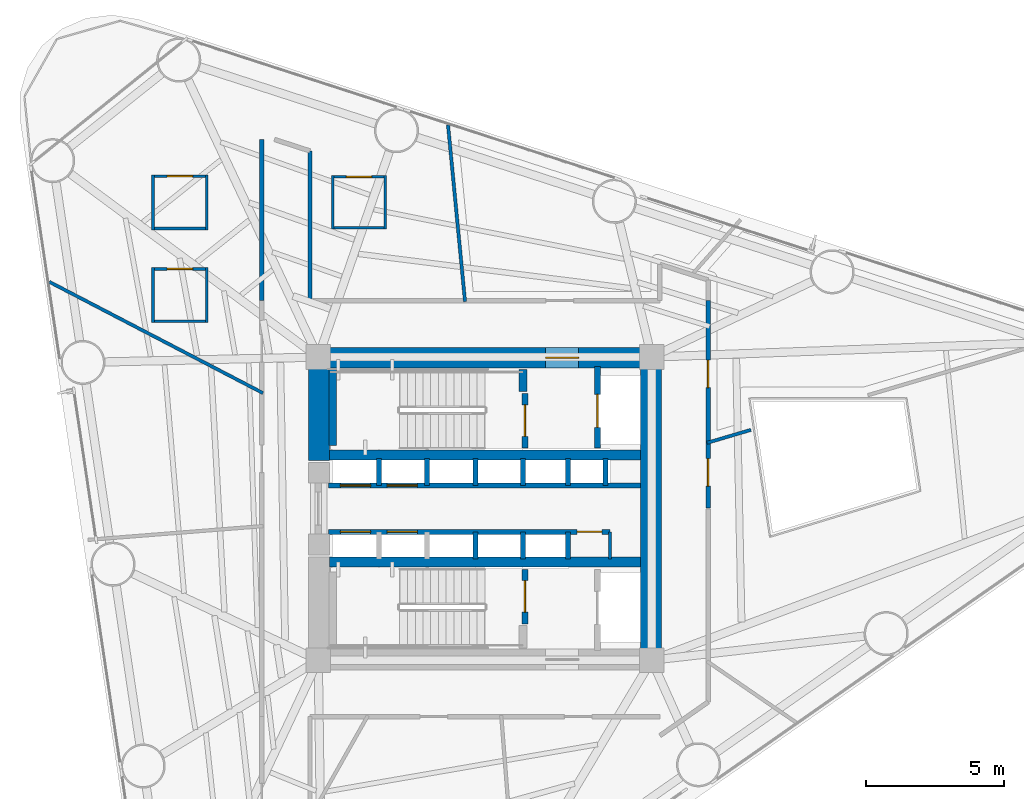
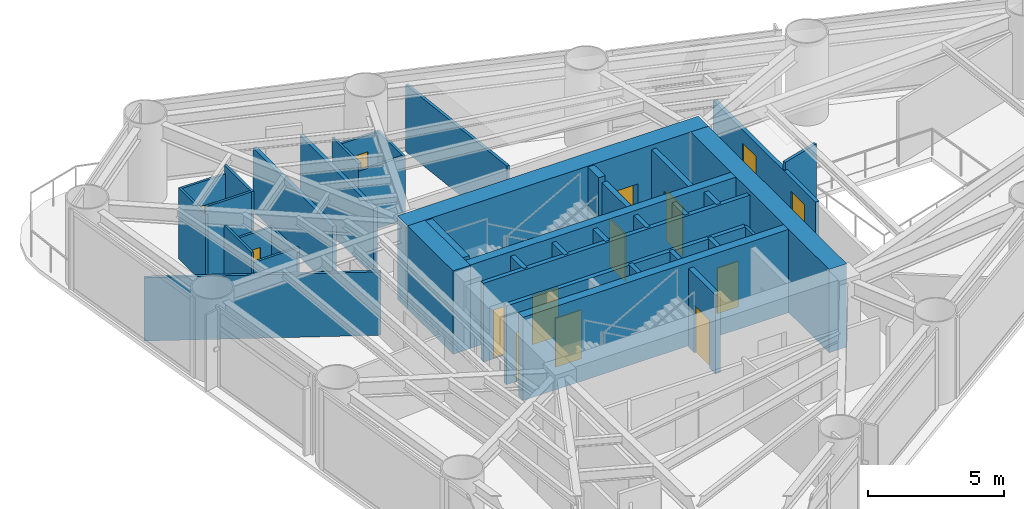
# One storey, part 6 of 9: 40 walls, 14 doors, 14 openings.
"""IFC4 building model written with IfcOpenShell, lengths in metres."""

from ifc_helpers import new_model, si_unit, direction, frame, frame_2d, origin, place, context, subcontext, project, spatial, rectangle, extrude, material, layer, layer_set, type_object, element, fill, save


model = new_model("IFC4")

# Units and contexts
model_context = context("Model", 3, precision=1e-05, world=origin(), true_north=direction((0.0, 1.0)))
body_context = subcontext(model_context, "Body", "Model", "MODEL_VIEW")
ifc_project = project(units=[si_unit("LENGTHUNIT", "METRE"), si_unit("AREAUNIT", "SQUARE_METRE"), si_unit("VOLUMEUNIT", "CUBIC_METRE"), si_unit("PLANEANGLEUNIT", "RADIAN"), si_unit("MASSUNIT", "GRAM", prefix="KILO")], contexts=[model_context])

# Site, building, storey
site_placement = place(None, origin())
site = spatial("IfcSite", under=ifc_project, at=site_placement, CompositionType="ELEMENT")
building_placement = place(site_placement, origin())
building = spatial("IfcBuilding", under=site, at=building_placement, Name="Yunling Apex Tower", CompositionType="ELEMENT")
storey_placement = place(building_placement, frame((0.0, 0.0, 66.050048828125)))
storey = spatial("IfcBuildingStorey", under=building, at=storey_placement, Name="L17", CompositionType="ELEMENT", Elevation=66.050048828125)

# Wall, opening, door
ifc_material_1 = material(Name="Concrete C60", Category="concrete")
ifc_layer_1 = layer(ifc_material_1, 0.75)
ifc_layer_set_1 = layer_set([ifc_layer_1], Name="Concrete C60")
wall_type_1 = type_object("IfcWallType", Name="WL-COR-1", PredefinedType="SHEAR", material=ifc_layer_set_1)
wall_1_placement = place(storey_placement, frame((-6.39990234375, 5.47509765625, 0.0), z_axis=(0.0, 0.0, 1.0), x_axis=(1.0, 0.0, 0.0)))
wall_1 = element("IfcWall", 1, at=wall_1_placement, inside=storey, type_object=wall_type_1, Name="L17 North Core Shear Wall", PredefinedType="SHEAR", context=body_context, shape_type="SweptSolid", body=[
    extrude(rectangle(XDim=12.7998046875, YDim=0.75, at=frame_2d((6.39990234375, 0.0))), origin(), (0.0, 0.0, 1.0), 3.75),
])
opening_1_placement = place(wall_1_placement, frame((8.60009765625, 0.0, 0.0)))
opening_1 = element("IfcOpeningElement", 2, at=opening_1_placement, cuts=wall_1, Name="Opening DR-FFL-1", PredefinedType="OPENING", context=body_context, shape_type="SweptSolid", body=[
    extrude(rectangle(XDim=1.199951171875, YDim=2.199951171875, at=frame_2d((0.60009765625, 1.10009765625))), frame((0.0, 0.385009765625, 0.0), z_axis=(0.0, -1.0, 0.0), x_axis=(1.0, 0.0, 0.0)), (0.0, 0.0, 1.0), 0.77001953125),
])
ifc_material_2 = material(Name="Steel Q355B", Category="steel")
door_type_1 = type_object("IfcDoorType", Name="DR-FFL-1", OperationType="NOTDEFINED", PredefinedType="DOOR", material=ifc_material_2)
door_1_placement = place(opening_1_placement, origin())
door_1 = element("IfcDoor", 3, at=door_1_placement, inside=storey, type_object=door_type_1, Name="L17 North Firefighting Lobby Door", OperationType="SINGLE_SWING_LEFT", OverallHeight=2.199951171875, OverallWidth=1.199951171875, PredefinedType="DOOR", context=body_context, shape_type="SweptSolid", body=[
    extrude(rectangle(XDim=1.199951171875, YDim=2.199951171875, at=frame_2d((0.60009765625, 1.10009765625))), frame((0.0, 0.02490234375, 0.0), z_axis=(0.0, -1.0, 0.0), x_axis=(1.0, 0.0, 0.0)), (0.0, 0.0, 1.0), 0.050048828125),
])
fill(opening_1, door_1)

# Walls
wall_2_placement = place(storey_placement, frame((6.02490234375, -5.10009765625, 0.0), z_axis=(0.0, 0.0, 1.0), x_axis=(0.0, 1.0, 0.0)))
element("IfcWall", 4, at=wall_2_placement, inside=storey, type_object=wall_type_1, Name="L17 East Core Shear Wall", PredefinedType="SHEAR", context=body_context, shape_type="SweptSolid", body=[
    extrude(rectangle(XDim=10.2001953125, YDim=0.75, at=frame_2d((5.10009765625, 0.0))), origin(), (0.0, 0.0, 1.0), 3.75),
])
wall_3_placement = place(storey_placement, frame((-6.02490234375, 1.75, 0.0), z_axis=(0.0, 0.0, 1.0), x_axis=(0.0, 1.0, 0.0)))
element("IfcWall", 5, at=wall_3_placement, inside=storey, type_object=wall_type_1, Name="L17 West-North Core Shear Wall", PredefinedType="SHEAR", context=body_context, shape_type="SweptSolid", body=[
    extrude(rectangle(XDim=3.35009765625, YDim=0.75, at=frame_2d((1.675048828125, 0.0))), origin(), (0.0, 0.0, 1.0), 3.75),
])
ifc_material_3 = material(Name="Concrete C40", Category="concrete")
ifc_layer_2 = layer(ifc_material_3, 0.360107421875)
ifc_layer_set_2 = layer_set([ifc_layer_2], Name="Concrete C40")
wall_type_2 = type_object("IfcWallType", Name="WL-COR-4", PredefinedType="SHEAR", material=ifc_layer_set_2)
for number, where, z_axis, x_axis, name in (
    (6, (-5.64990234375, 1.93994140625, 0.0), (0.0, 0.0, 1.0), (1.0, 0.0, 0.0), "L17 North Internal Core Shear Wall"),
    (7, (-5.64990234375, -1.93994140625, 0.0), (0.0, 0.0, 1.0), (1.0, 0.0, 0.0), "L17 South Internal Core Shear Wall"),
):
    element("IfcWall", number, at=place(storey_placement, frame(where, z_axis=z_axis, x_axis=x_axis)), inside=storey, type_object=wall_type_2, Name=name, PredefinedType="SHEAR", context=body_context, shape_type="SweptSolid", body=[
        extrude(rectangle(XDim=11.2998046875, YDim=0.360107421875, at=frame_2d((5.64990234375, 0.0))), origin(), (0.0, 0.0, 1.0), 3.75),
    ])
ifc_layer_3 = layer(ifc_material_3, 0.280029296875)
ifc_layer_set_3 = layer_set([ifc_layer_3], Name="Concrete C40")
wall_type_3 = type_object("IfcWallType", Name="WL-COR-8", PredefinedType="SHEAR", material=ifc_layer_set_3)
wall_4_placement = place(storey_placement, frame((-5.52001953125, 2.300048828125, 0.0), z_axis=(0.0, 0.0, 1.0), x_axis=(0.0, 1.0, 0.0)))
element("IfcWall", 8, at=wall_4_placement, inside=storey, type_object=wall_type_3, Name="L17 ST-1 West Landing Bearing Wall", PredefinedType="SHEAR", context=body_context, shape_type="SweptSolid", body=[
    extrude(rectangle(XDim=2.75, YDim=0.280029296875, at=frame_2d((1.375, 0.0))), origin(), (0.0, 0.0, 1.0), 3.75),
])
wall_5_placement = place(storey_placement, frame((1.3798828125, 4.25, 0.0), z_axis=(0.0, 0.0, 1.0), x_axis=(0.0, 1.0, 0.0)))
element("IfcWall", 9, at=wall_5_placement, inside=storey, type_object=wall_type_3, Name="L17 ST-1 East Landing Bearing Pier", PredefinedType="SHEAR", context=body_context, shape_type="SweptSolid", body=[
    extrude(rectangle(XDim=0.800048828125, YDim=0.280029296875, at=frame_2d((0.39990234375, 0.0))), origin(), (0.0, 0.0, 1.0), 3.75),
])
ifc_material_4 = material(Name="Gypsum board acoustic partition")
ifc_layer_4 = layer(ifc_material_4, 0.159912109375)
ifc_layer_set_4 = layer_set([ifc_layer_4], Name="Gypsum board acoustic partition")
wall_type_4 = type_object("IfcWallType", Name="WL-PRT-1", PredefinedType="PARTITIONING", material=ifc_layer_set_4)
wall_6_placement = place(storey_placement, frame((-8.10009765625, 7.550048828125, 0.0), z_axis=(0.0, 0.0, 1.0), x_axis=(0.0, 1.0, 0.0)))
element("IfcWall", 10, at=wall_6_placement, inside=storey, type_object=wall_type_4, Name="WL-CORR-L17-03", PredefinedType="PARTITIONING", context=body_context, shape_type="SweptSolid", body=[
    extrude(rectangle(XDim=5.849853515625, YDim=0.159912109375, at=frame_2d((2.9248046875, 0.0))), origin(), (0.0, 0.0, 1.0), 2.849853515625),
])
wall_7_placement = place(storey_placement, frame((-6.35009765625, 12.9814453125, 0.0), z_axis=(0.0, 0.0, 1.0), x_axis=(0.0, -1.0, 0.0)))
element("IfcWall", 11, at=wall_7_placement, inside=storey, type_object=wall_type_4, Name="WL-CORR-L17-06", PredefinedType="PARTITIONING", context=body_context, shape_type="SweptSolid", body=[
    extrude(rectangle(XDim=5.431396484375, YDim=0.159912109375, at=frame_2d((2.7158203125, 0.0))), origin(), (0.0, 0.0, 1.0), 3.050048828125),
])

# Wall, openings, doors
wall_8_placement = place(storey_placement, frame((8.10009765625, 7.550048828125, 0.0), z_axis=(0.0, 0.0, 1.0), x_axis=(0.0, -1.0, 0.0)))
wall_8 = element("IfcWall", 12, at=wall_8_placement, inside=storey, type_object=wall_type_4, Name="WL-CORR-L17-11", PredefinedType="PARTITIONING", context=body_context, shape_type="SweptSolid", body=[
    extrude(rectangle(XDim=7.530029296875, YDim=0.159912109375, at=frame_2d((3.76513671875, 0.0))), origin(), (0.0, 0.0, 1.0), 2.849853515625),
])
opening_2_placement = place(wall_8_placement, frame((2.156005859375, 0.0, 0.0)))
opening_2 = element("IfcOpeningElement", 13, at=opening_2_placement, cuts=wall_8, Name="Opening DR-OFF-1", PredefinedType="OPENING", context=body_context, shape_type="SweptSolid", body=[
    extrude(rectangle(XDim=1.0, YDim=2.25, at=frame_2d((0.5, 1.125))), frame((0.0, 0.08984375, 0.0), z_axis=(0.0, -1.0, 0.0), x_axis=(1.0, 0.0, 0.0)), (0.0, 0.0, 1.0), 0.179931640625),
])
opening_3_placement = place(wall_8_placement, frame((5.736083984375, 0.0, 0.0)))
opening_3 = element("IfcOpeningElement", 14, at=opening_3_placement, cuts=wall_8, Name="Opening DR-OFF-1", PredefinedType="OPENING", context=body_context, shape_type="SweptSolid", body=[
    extrude(rectangle(XDim=1.0, YDim=2.25, at=frame_2d((0.5, 1.125))), frame((0.0, 0.08984375, 0.0), z_axis=(0.0, -1.0, 0.0), x_axis=(1.0, 0.0, 0.0)), (0.0, 0.0, 1.0), 0.179931640625),
])
ifc_material_5 = material(Name="Bronze anodised aluminium", Category="aluminium")
door_type_2 = type_object("IfcDoorType", Name="DR-OFF-1", OperationType="NOTDEFINED", PredefinedType="DOOR", material=ifc_material_5)
door_2_placement = place(opening_2_placement, origin())
door_2 = element("IfcDoor", 15, at=door_2_placement, inside=storey, type_object=door_type_2, Name="L17 Open Plan Office Door", OperationType="SINGLE_SWING_RIGHT", OverallHeight=2.25, OverallWidth=1.0, PredefinedType="DOOR", context=body_context, shape_type="SweptSolid", body=[
    extrude(rectangle(XDim=1.0, YDim=2.25, at=frame_2d((0.5, 1.125))), frame((0.0, 0.02490234375, 0.0), z_axis=(0.0, -1.0, 0.0), x_axis=(1.0, 0.0, 0.0)), (0.0, 0.0, 1.0), 0.050048828125),
])
fill(opening_2, door_2)
door_3_placement = place(opening_3_placement, origin())
door_3 = element("IfcDoor", 16, at=door_3_placement, inside=storey, type_object=door_type_2, Name="L17 Business Reading Lounge Door", OperationType="SINGLE_SWING_LEFT", OverallHeight=2.25, OverallWidth=1.0, PredefinedType="DOOR", context=body_context, shape_type="SweptSolid", body=[
    extrude(rectangle(XDim=1.0, YDim=2.25, at=frame_2d((0.5, 1.125))), frame((0.0, 0.02490234375, 0.0), z_axis=(0.0, -1.0, 0.0), x_axis=(1.0, 0.0, 0.0)), (0.0, 0.0, 1.0), 0.050048828125),
])
fill(opening_3, door_3)

# Walls
ifc_layer_5 = layer(ifc_material_4, 0.1201171875)
ifc_layer_set_5 = layer_set([ifc_layer_5], Name="Gypsum board acoustic partition")
wall_type_5 = type_object("IfcWallType", Name="WL-PRT-3", PredefinedType="PARTITIONING", material=ifc_layer_set_5)
wall_9_placement = place(storey_placement, frame((-0.72314453125, 7.510009765625, 0.0), z_axis=(0.0, 0.0, 1.0), x_axis=(-0.095840941038, 0.995396661648, 0.0)))
element("IfcWall", 17, at=wall_9_placement, inside=storey, type_object=wall_type_5, Name="WL-RAD-L17-01", PredefinedType="PARTITIONING", context=body_context, shape_type="SweptSolid", body=[
    extrude(rectangle(XDim=6.442138671875, YDim=0.1201171875, at=frame_2d((3.22119140625, 0.0))), origin(), (0.0, 0.0, 1.0), 3.010009765625),
])
wall_10_placement = place(storey_placement, frame((-8.06005859375, 4.19580078125, 0.0), z_axis=(0.0, 0.0, 1.0), x_axis=(-0.887015422537, 0.461739797052, 0.0)))
element("IfcWall", 18, at=wall_10_placement, inside=storey, type_object=wall_type_5, Name="WL-RAD-L17-02", PredefinedType="PARTITIONING", context=body_context, shape_type="SweptSolid", body=[
    extrude(rectangle(XDim=8.737548828125, YDim=0.1201171875, at=frame_2d((4.36865234375, 0.0))), origin(), (0.0, 0.0, 1.0), 2.849853515625),
])
wall_11_placement = place(storey_placement, frame((8.06005859375, 2.387451171875, 0.0), z_axis=(0.0, 0.0, 1.0), x_axis=(0.958783289971, 0.28413835164, 0.0)))
element("IfcWall", 19, at=wall_11_placement, inside=storey, type_object=wall_type_5, Name="WL-RAD-L17-08", PredefinedType="PARTITIONING", context=body_context, shape_type="SweptSolid", body=[
    extrude(rectangle(XDim=1.661865234375, YDim=0.1201171875, at=frame_2d((0.8310546875, 0.0))), origin(), (0.0, 0.0, 1.0), 3.2099609375),
])
ifc_layer_6 = layer(ifc_material_4, 0.10009765625)
ifc_layer_set_6 = layer_set([ifc_layer_6], Name="Gypsum board acoustic partition")
wall_type_6 = type_object("IfcWallType", Name="WL-PRT-4", PredefinedType="PARTITIONING", material=ifc_layer_set_6)
wall_12_placement = place(storey_placement, frame((4.5400390625, -1.820068359375, 0.0), z_axis=(0.0, 0.0, 1.0), x_axis=(0.0, 1.0, 0.0)))
element("IfcWall", 20, at=wall_12_placement, inside=storey, type_object=wall_type_6, Name="WL-KASE-E-L17", PredefinedType="PARTITIONING", context=body_context, shape_type="SweptSolid", body=[
    extrude(rectangle(XDim=0.97998046875, YDim=0.10009765625, at=frame_2d((0.489990234375, 0.0))), origin(), (0.0, 0.0, 1.0), 3.544921875),
])

# Wall, opening, door
wall_13_placement = place(storey_placement, frame((-12.096923828125, 12.06689453125, 0.0), z_axis=(0.0, 0.0, 1.0), x_axis=(1.0, 0.0, 0.0)))
wall_13 = element("IfcWall", 21, at=wall_13_placement, inside=storey, type_object=wall_type_6, Name="WL-L17-WCMN", PredefinedType="PARTITIONING", context=body_context, shape_type="SweptSolid", body=[
    extrude(rectangle(XDim=2.0498046875, YDim=0.10009765625, at=frame_2d((1.02490234375, 0.0))), origin(), (0.0, 0.0, 1.0), 3.199951171875),
])
opening_4_placement = place(wall_13_placement, frame((0.56494140625, 0.0, 0.0)))
opening_4 = element("IfcOpeningElement", 22, at=opening_4_placement, cuts=wall_13, Name="Opening DR-WC-1", PredefinedType="OPENING", context=body_context, shape_type="SweptSolid", body=[
    extrude(rectangle(XDim=0.919921875, YDim=2.10009765625, at=frame_2d((0.4599609375, 1.050048828125))), frame((0.0, 0.06005859375, 0.0), z_axis=(0.0, -1.0, 0.0), x_axis=(1.0, 0.0, 0.0)), (0.0, 0.0, 1.0), 0.1201171875),
])
ifc_material_6 = material(Name="Timber moisture-resistant leaf", Category="wood")
door_type_3 = type_object("IfcDoorType", Name="DR-WC-1", OperationType="NOTDEFINED", PredefinedType="DOOR", material=ifc_material_6)
door_4_placement = place(opening_4_placement, origin())
door_4 = element("IfcDoor", 23, at=door_4_placement, inside=storey, type_object=door_type_3, Name="L17 Male Toilet Door", OperationType="SINGLE_SWING_LEFT", OverallHeight=2.10009765625, OverallWidth=0.919921875, PredefinedType="DOOR", context=body_context, shape_type="SweptSolid", body=[
    extrude(rectangle(XDim=0.919921875, YDim=2.10009765625, at=frame_2d((0.4599609375, 1.050048828125))), frame((0.0, 0.02490234375, 0.0), z_axis=(0.0, -1.0, 0.0), x_axis=(1.0, 0.0, 0.0)), (0.0, 0.0, 1.0), 0.050048828125),
])
fill(opening_4, door_4)

# Walls
wall_14_placement = place(storey_placement, frame((-10.047119140625, 10.1669921875, 0.0), z_axis=(0.0, 0.0, 1.0), x_axis=(-1.0, 0.0, 0.0)))
element("IfcWall", 24, at=wall_14_placement, inside=storey, type_object=wall_type_6, Name="WL-L17-WCMS", PredefinedType="PARTITIONING", context=body_context, shape_type="SweptSolid", body=[
    extrude(rectangle(XDim=2.0498046875, YDim=0.10009765625, at=frame_2d((1.02490234375, 0.0))), origin(), (0.0, 0.0, 1.0), 3.544921875),
])
wall_15_placement = place(storey_placement, frame((-10.096923828125, 12.116943359375, 0.0), z_axis=(0.0, 0.0, 1.0), x_axis=(0.0, -1.0, 0.0)))
element("IfcWall", 25, at=wall_15_placement, inside=storey, type_object=wall_type_6, Name="WL-L17-WCME", PredefinedType="PARTITIONING", context=body_context, shape_type="SweptSolid", body=[
    extrude(rectangle(XDim=2.0, YDim=0.10009765625, at=frame_2d((1.0, 0.0))), origin(), (0.0, 0.0, 1.0), 3.544921875),
])
wall_16_placement = place(storey_placement, frame((-12.047119140625, 10.116943359375, 0.0), z_axis=(0.0, 0.0, 1.0), x_axis=(0.0, 1.0, 0.0)))
element("IfcWall", 26, at=wall_16_placement, inside=storey, type_object=wall_type_6, Name="WL-L17-WCMW", PredefinedType="PARTITIONING", context=body_context, shape_type="SweptSolid", body=[
    extrude(rectangle(XDim=2.0, YDim=0.10009765625, at=frame_2d((1.0, 0.0))), origin(), (0.0, 0.0, 1.0), 3.199951171875),
])

# Wall, opening, door
wall_17_placement = place(storey_placement, frame((-12.096923828125, 8.700927734375, 0.0), z_axis=(0.0, 0.0, 1.0), x_axis=(1.0, 0.0, 0.0)))
wall_17 = element("IfcWall", 27, at=wall_17_placement, inside=storey, type_object=wall_type_6, Name="WL-L17-WCFN", PredefinedType="PARTITIONING", context=body_context, shape_type="SweptSolid", body=[
    extrude(rectangle(XDim=2.0498046875, YDim=0.10009765625, at=frame_2d((1.02490234375, 0.0))), origin(), (0.0, 0.0, 1.0), 2.849853515625),
])
opening_5_placement = place(wall_17_placement, frame((0.56494140625, 0.0, 0.0)))
opening_5 = element("IfcOpeningElement", 28, at=opening_5_placement, cuts=wall_17, Name="Opening DR-WC-1", PredefinedType="OPENING", context=body_context, shape_type="SweptSolid", body=[
    extrude(rectangle(XDim=0.919921875, YDim=2.10009765625, at=frame_2d((0.4599609375, 1.050048828125))), frame((0.0, 0.06005859375, 0.0), z_axis=(0.0, -1.0, 0.0), x_axis=(1.0, 0.0, 0.0)), (0.0, 0.0, 1.0), 0.1201171875),
])
door_5_placement = place(opening_5_placement, origin())
door_5 = element("IfcDoor", 29, at=door_5_placement, inside=storey, type_object=door_type_3, Name="L17 Female Toilet Door", OperationType="SINGLE_SWING_RIGHT", OverallHeight=2.10009765625, OverallWidth=0.919921875, PredefinedType="DOOR", context=body_context, shape_type="SweptSolid", body=[
    extrude(rectangle(XDim=0.919921875, YDim=2.10009765625, at=frame_2d((0.4599609375, 1.050048828125))), frame((0.0, 0.02490234375, 0.0), z_axis=(0.0, -1.0, 0.0), x_axis=(1.0, 0.0, 0.0)), (0.0, 0.0, 1.0), 0.050048828125),
])
fill(opening_5, door_5)

# Walls
wall_18_placement = place(storey_placement, frame((-10.047119140625, 6.801025390625, 0.0), z_axis=(0.0, 0.0, 1.0), x_axis=(-1.0, 0.0, 0.0)))
element("IfcWall", 30, at=wall_18_placement, inside=storey, type_object=wall_type_6, Name="WL-L17-WCFS", PredefinedType="PARTITIONING", context=body_context, shape_type="SweptSolid", body=[
    extrude(rectangle(XDim=2.0498046875, YDim=0.10009765625, at=frame_2d((1.02490234375, 0.0))), origin(), (0.0, 0.0, 1.0), 3.050048828125),
])
wall_19_placement = place(storey_placement, frame((-10.096923828125, 8.7509765625, 0.0), z_axis=(0.0, 0.0, 1.0), x_axis=(0.0, -1.0, 0.0)))
element("IfcWall", 31, at=wall_19_placement, inside=storey, type_object=wall_type_6, Name="WL-L17-WCFE", PredefinedType="PARTITIONING", context=body_context, shape_type="SweptSolid", body=[
    extrude(rectangle(XDim=2.0, YDim=0.10009765625, at=frame_2d((1.0, 0.0))), origin(), (0.0, 0.0, 1.0), 2.849853515625),
])
wall_20_placement = place(storey_placement, frame((-12.047119140625, 6.7509765625, 0.0), z_axis=(0.0, 0.0, 1.0), x_axis=(0.0, 1.0, 0.0)))
element("IfcWall", 32, at=wall_20_placement, inside=storey, type_object=wall_type_6, Name="WL-L17-WCFW", PredefinedType="PARTITIONING", context=body_context, shape_type="SweptSolid", body=[
    extrude(rectangle(XDim=2.0, YDim=0.10009765625, at=frame_2d((1.0, 0.0))), origin(), (0.0, 0.0, 1.0), 3.544921875),
])

# Wall, opening, door
wall_21_placement = place(storey_placement, frame((-5.572021484375, 12.0419921875, 0.0), z_axis=(0.0, 0.0, 1.0), x_axis=(1.0, 0.0, 0.0)))
wall_21 = element("IfcWall", 33, at=wall_21_placement, inside=storey, type_object=wall_type_6, Name="WL-L17-WCAN", PredefinedType="PARTITIONING", context=body_context, shape_type="SweptSolid", body=[
    extrude(rectangle(XDim=2.0, YDim=0.10009765625, at=frame_2d((1.0, 0.0))), origin(), (0.0, 0.0, 1.0), 2.849853515625),
])
opening_6_placement = place(wall_21_placement, frame((0.5400390625, 0.0, 0.0)))
opening_6 = element("IfcOpeningElement", 34, at=opening_6_placement, cuts=wall_21, Name="Opening DR-WC-1", PredefinedType="OPENING", context=body_context, shape_type="SweptSolid", body=[
    extrude(rectangle(XDim=0.919921875, YDim=2.10009765625, at=frame_2d((0.4599609375, 1.050048828125))), frame((0.0, 0.06005859375, 0.0), z_axis=(0.0, -1.0, 0.0), x_axis=(1.0, 0.0, 0.0)), (0.0, 0.0, 1.0), 0.1201171875),
])
door_6_placement = place(opening_6_placement, origin())
door_6 = element("IfcDoor", 35, at=door_6_placement, inside=storey, type_object=door_type_3, Name="L17 Accessible WC Door", OperationType="SINGLE_SWING_LEFT", OverallHeight=2.10009765625, OverallWidth=0.919921875, PredefinedType="DOOR", context=body_context, shape_type="SweptSolid", body=[
    extrude(rectangle(XDim=0.919921875, YDim=2.10009765625, at=frame_2d((0.4599609375, 1.050048828125))), frame((0.0, 0.02490234375, 0.0), z_axis=(0.0, -1.0, 0.0), x_axis=(1.0, 0.0, 0.0)), (0.0, 0.0, 1.0), 0.050048828125),
])
fill(opening_6, door_6)

# Walls
wall_22_placement = place(storey_placement, frame((-3.572021484375, 10.19189453125, 0.0), z_axis=(0.0, 0.0, 1.0), x_axis=(-1.0, 0.0, 0.0)))
element("IfcWall", 36, at=wall_22_placement, inside=storey, type_object=wall_type_6, Name="WL-L17-WCAS", PredefinedType="PARTITIONING", context=body_context, shape_type="SweptSolid", body=[
    extrude(rectangle(XDim=2.0, YDim=0.10009765625, at=frame_2d((1.0, 0.0))), origin(), (0.0, 0.0, 1.0), 2.849853515625),
])
wall_23_placement = place(storey_placement, frame((-3.6220703125, 12.092041015625, 0.0), z_axis=(0.0, 0.0, 1.0), x_axis=(0.0, -1.0, 0.0)))
element("IfcWall", 37, at=wall_23_placement, inside=storey, type_object=wall_type_6, Name="WL-L17-WCAE", PredefinedType="PARTITIONING", context=body_context, shape_type="SweptSolid", body=[
    extrude(rectangle(XDim=1.949951171875, YDim=0.10009765625, at=frame_2d((0.97509765625, 0.0))), origin(), (0.0, 0.0, 1.0), 2.849853515625),
])
wall_24_placement = place(storey_placement, frame((-5.52197265625, 10.14208984375, 0.0), z_axis=(0.0, 0.0, 1.0), x_axis=(0.0, 1.0, 0.0)))
element("IfcWall", 38, at=wall_24_placement, inside=storey, type_object=wall_type_6, Name="WL-L17-WCAW", PredefinedType="PARTITIONING", context=body_context, shape_type="SweptSolid", body=[
    extrude(rectangle(XDim=1.949951171875, YDim=0.10009765625, at=frame_2d((0.97509765625, 0.0))), origin(), (0.0, 0.0, 1.0), 3.199951171875),
])

# Wall, opening, door
ifc_material_7 = material(Name="Autoclaved aerated concrete masonry", Category="masonry")
ifc_layer_7 = layer(ifc_material_7, 0.219970703125)
ifc_layer_set_7 = layer_set([ifc_layer_7], Name="Autoclaved aerated concrete masonry")
wall_type_7 = type_object("IfcWallType", Name="WL-SHF-1", PredefinedType="PLUMBINGWALL", material=ifc_layer_set_7)
wall_25_placement = place(storey_placement, frame((1.449951171875, 2.199951171875, 0.0), z_axis=(0.0, 0.0, 1.0), x_axis=(0.0, 1.0, 0.0)))
wall_25 = element("IfcWall", 39, at=wall_25_placement, inside=storey, type_object=wall_type_7, Name="WL-ST1-E-L17", PredefinedType="PLUMBINGWALL", context=body_context, shape_type="SweptSolid", body=[
    extrude(rectangle(XDim=1.97998046875, YDim=0.219970703125, at=frame_2d((0.989990234375, 0.0))), origin(), (0.0, 0.0, 1.0), 3.544921875),
])
opening_7_placement = place(wall_25_placement, frame((0.419921875, 0.0, 0.0)))
opening_7 = element("IfcOpeningElement", 40, at=opening_7_placement, cuts=wall_25, Name="Opening DR-ST-1", PredefinedType="OPENING", context=body_context, shape_type="SweptSolid", body=[
    extrude(rectangle(XDim=1.14990234375, YDim=2.14990234375, at=frame_2d((0.574951171875, 1.074951171875))), frame((0.0, 0.1201171875, 0.0), z_axis=(0.0, -1.0, 0.0), x_axis=(1.0, 0.0, 0.0)), (0.0, 0.0, 1.0), 0.239990234375),
])
door_type_4 = type_object("IfcDoorType", Name="DR-ST-1", OperationType="NOTDEFINED", PredefinedType="DOOR", material=ifc_material_2)
door_7_placement = place(opening_7_placement, origin())
door_7 = element("IfcDoor", 41, at=door_7_placement, inside=storey, type_object=door_type_4, Name="L17 Stair ST-1 Fire Door", OperationType="SINGLE_SWING_RIGHT", OverallHeight=2.14990234375, OverallWidth=1.14990234375, PredefinedType="DOOR", context=body_context, shape_type="SweptSolid", body=[
    extrude(rectangle(XDim=1.14990234375, YDim=2.14990234375, at=frame_2d((0.574951171875, 1.074951171875))), frame((0.0, 0.02490234375, 0.0), z_axis=(0.0, -1.0, 0.0), x_axis=(1.0, 0.0, 0.0)), (0.0, 0.0, 1.0), 0.050048828125),
])
fill(opening_7, door_7)

wall_26_placement = place(storey_placement, frame((4.080078125, 2.199951171875, 0.0), z_axis=(0.0, 0.0, 1.0), x_axis=(0.0, 1.0, 0.0)))
wall_26 = element("IfcWall", 42, at=wall_26_placement, inside=storey, type_object=wall_type_7, Name="WL-FFL1-W-L17", PredefinedType="PLUMBINGWALL", context=body_context, shape_type="SweptSolid", body=[
    extrude(rectangle(XDim=2.949951171875, YDim=0.219970703125, at=frame_2d((1.47509765625, 0.0))), origin(), (0.0, 0.0, 1.0), 3.544921875),
])
opening_8_placement = place(wall_26_placement, frame((0.75, 0.0, 0.0)))
opening_8 = element("IfcOpeningElement", 43, at=opening_8_placement, cuts=wall_26, Name="Opening LD-FFL-1", PredefinedType="OPENING", context=body_context, shape_type="SweptSolid", body=[
    extrude(rectangle(XDim=1.199951171875, YDim=2.25, at=frame_2d((0.60009765625, 1.125))), frame((0.0, 0.1201171875, 0.0), z_axis=(0.0, -1.0, 0.0), x_axis=(1.0, 0.0, 0.0)), (0.0, 0.0, 1.0), 0.239990234375),
])
door_type_5 = type_object("IfcDoorType", Name="LD-FFL-1", OperationType="DOUBLE_DOOR_SLIDING", PredefinedType="DOOR", material=ifc_material_2)
door_8_placement = place(opening_8_placement, origin())
door_8 = element("IfcDoor", 44, at=door_8_placement, inside=storey, type_object=door_type_5, Name="L17 Lift FFL-1 Landing Door", OperationType="DOUBLE_DOOR_SLIDING", OverallHeight=2.25, OverallWidth=1.199951171875, PredefinedType="DOOR", context=body_context, shape_type="SweptSolid", body=[
    extrude(rectangle(XDim=1.199951171875, YDim=2.25, at=frame_2d((0.60009765625, 1.125))), frame((0.0, 0.02490234375, 0.0), z_axis=(0.0, -1.0, 0.0), x_axis=(1.0, 0.0, 0.0)), (0.0, 0.0, 1.0), 0.050048828125),
])
fill(opening_8, door_8)

wall_27_placement = place(storey_placement, frame((1.449951171875, -4.179931640625, 0.0), z_axis=(0.0, 0.0, 1.0), x_axis=(0.0, 1.0, 0.0)))
wall_27 = element("IfcWall", 45, at=wall_27_placement, inside=storey, type_object=wall_type_7, Name="WL-ST2-E-L17", PredefinedType="PLUMBINGWALL", context=body_context, shape_type="SweptSolid", body=[
    extrude(rectangle(XDim=1.97998046875, YDim=0.219970703125, at=frame_2d((0.989990234375, 0.0))), origin(), (0.0, 0.0, 1.0), 3.544921875),
])
opening_9_placement = place(wall_27_placement, frame((0.419921875, 0.0, 0.0)))
opening_9 = element("IfcOpeningElement", 46, at=opening_9_placement, cuts=wall_27, Name="Opening DR-ST-1", PredefinedType="OPENING", context=body_context, shape_type="SweptSolid", body=[
    extrude(rectangle(XDim=1.14990234375, YDim=2.14990234375, at=frame_2d((0.574951171875, 1.074951171875))), frame((0.0, 0.1201171875, 0.0), z_axis=(0.0, -1.0, 0.0), x_axis=(1.0, 0.0, 0.0)), (0.0, 0.0, 1.0), 0.239990234375),
])
door_9_placement = place(opening_9_placement, origin())
door_9 = element("IfcDoor", 47, at=door_9_placement, inside=storey, type_object=door_type_4, Name="L17 Stair ST-2 Fire Door", OperationType="SINGLE_SWING_LEFT", OverallHeight=2.14990234375, OverallWidth=1.14990234375, PredefinedType="DOOR", context=body_context, shape_type="SweptSolid", body=[
    extrude(rectangle(XDim=1.14990234375, YDim=2.14990234375, at=frame_2d((0.574951171875, 1.074951171875))), frame((0.0, 0.02490234375, 0.0), z_axis=(0.0, -1.0, 0.0), x_axis=(1.0, 0.0, 0.0)), (0.0, 0.0, 1.0), 0.050048828125),
])
fill(opening_9, door_9)

# Walls
ifc_layer_8 = layer(ifc_material_7, 0.179931640625)
ifc_layer_set_8 = layer_set([ifc_layer_8], Name="Autoclaved aerated concrete masonry")
wall_type_8 = type_object("IfcWallType", Name="WL-SHF-2", PredefinedType="PLUMBINGWALL", material=ifc_layer_set_8)
for number, where, z_axis, x_axis, name in (
    (48, (-3.85009765625, 0.840087890625, 0.0), (0.0, 0.0, 1.0), (0.0, 1.0, 0.0), "WL-DIV-L12-L17"),
    (49, (-2.10009765625, 0.840087890625, 0.0), (0.0, 0.0, 1.0), (0.0, 1.0, 0.0), "WL-BNK-LM-N-L17"),
    (50, (-0.35009765625, 0.840087890625, 0.0), (0.0, 0.0, 1.0), (0.0, 1.0, 0.0), "WL-DIV-M12-L17"),
    (51, (-0.35009765625, -1.820068359375, 0.0), (0.0, 0.0, 1.0), (0.0, 1.0, 0.0), "WL-DIV-M34-L17"),
    (52, (1.3798828125, 0.840087890625, 0.0), (0.0, 0.0, 1.0), (0.0, 1.0, 0.0), "WL-BNK-MH-N-L17"),
    (53, (1.3798828125, -1.820068359375, 0.0), (0.0, 0.0, 1.0), (0.0, 1.0, 0.0), "WL-BNK-MH-S-L17"),
    (54, (3.02001953125, 0.840087890625, 0.0), (0.0, 0.0, 1.0), (0.0, 1.0, 0.0), "WL-DIV-H13-L17"),
    (55, (4.3798828125, 0.840087890625, 0.0), (0.0, 0.0, 1.0), (0.0, 1.0, 0.0), "WL-END-H3E-L17"),
    (56, (3.02001953125, -1.820068359375, 0.0), (0.0, 0.0, 1.0), (0.0, 1.0, 0.0), "WL-END-H2E-L17"),
):
    element("IfcWall", number, at=place(storey_placement, frame(where, z_axis=z_axis, x_axis=x_axis)), inside=storey, type_object=wall_type_8, Name=name, PredefinedType="PLUMBINGWALL", context=body_context, shape_type="SweptSolid", body=[
        extrude(rectangle(XDim=0.97998046875, YDim=0.179931640625, at=frame_2d((0.489990234375, 0.0))), origin(), (0.0, 0.0, 1.0), 3.544921875),
    ])

# Wall, openings, doors
wall_28_placement = place(storey_placement, frame((-5.679931640625, 0.840087890625, 0.0), z_axis=(0.0, 0.0, 1.0), x_axis=(1.0, 0.0, 0.0)))
wall_28 = element("IfcWall", 57, at=wall_28_placement, inside=storey, type_object=wall_type_8, Name="WL-LOB-N-L17", PredefinedType="PLUMBINGWALL", context=body_context, shape_type="SweptSolid", body=[
    extrude(rectangle(XDim=11.329833984375, YDim=0.179931640625, at=frame_2d((5.6650390625, 0.0))), origin(), (0.0, 0.0, 1.0), 3.544921875),
])
opening_10_placement = place(wall_28_placement, frame((0.429931640625, 0.0, 0.0)))
opening_10 = element("IfcOpeningElement", 58, at=opening_10_placement, cuts=wall_28, Name="Opening LD-PAS-1", PredefinedType="OPENING", context=body_context, shape_type="SweptSolid", body=[
    extrude(rectangle(XDim=1.10009765625, YDim=2.199951171875, at=frame_2d((0.550048828125, 1.10009765625))), frame((0.0, 0.10009765625, 0.0), z_axis=(0.0, -1.0, 0.0), x_axis=(1.0, 0.0, 0.0)), (0.0, 0.0, 1.0), 0.199951171875),
])
opening_11_placement = place(wall_28_placement, frame((2.1298828125, 0.0, 0.0)))
opening_11 = element("IfcOpeningElement", 59, at=opening_11_placement, cuts=wall_28, Name="Opening LD-PAS-1", PredefinedType="OPENING", context=body_context, shape_type="SweptSolid", body=[
    extrude(rectangle(XDim=1.10009765625, YDim=2.199951171875, at=frame_2d((0.550048828125, 1.10009765625))), frame((0.0, 0.10009765625, 0.0), z_axis=(0.0, -1.0, 0.0), x_axis=(1.0, 0.0, 0.0)), (0.0, 0.0, 1.0), 0.199951171875),
])
ifc_material_8 = material(Name="Silver anodised aluminium", Category="aluminium")
door_type_6 = type_object("IfcDoorType", Name="LD-PAS-1", OperationType="DOUBLE_DOOR_SLIDING", PredefinedType="DOOR", material=ifc_material_8)
door_10_placement = place(opening_10_placement, origin())
door_10 = element("IfcDoor", 60, at=door_10_placement, inside=storey, type_object=door_type_6, Name="L17 Lift PL-L1 Landing Door", OperationType="DOUBLE_DOOR_SLIDING", OverallHeight=2.199951171875, OverallWidth=1.10009765625, PredefinedType="DOOR", context=body_context, shape_type="SweptSolid", body=[
    extrude(rectangle(XDim=1.10009765625, YDim=2.199951171875, at=frame_2d((0.550048828125, 1.10009765625))), frame((0.0, 0.02490234375, 0.0), z_axis=(0.0, -1.0, 0.0), x_axis=(1.0, 0.0, 0.0)), (0.0, 0.0, 1.0), 0.050048828125),
])
fill(opening_10, door_10)
door_11_placement = place(opening_11_placement, origin())
door_11 = element("IfcDoor", 61, at=door_11_placement, inside=storey, type_object=door_type_6, Name="L17 Lift PL-L2 Landing Door", OperationType="DOUBLE_DOOR_SLIDING", OverallHeight=2.199951171875, OverallWidth=1.10009765625, PredefinedType="DOOR", context=body_context, shape_type="SweptSolid", body=[
    extrude(rectangle(XDim=1.10009765625, YDim=2.199951171875, at=frame_2d((0.550048828125, 1.10009765625))), frame((0.0, 0.02490234375, 0.0), z_axis=(0.0, -1.0, 0.0), x_axis=(1.0, 0.0, 0.0)), (0.0, 0.0, 1.0), 0.050048828125),
])
fill(opening_11, door_11)

wall_29_placement = place(storey_placement, frame((-5.679931640625, -0.840087890625, 0.0), z_axis=(0.0, 0.0, 1.0), x_axis=(1.0, 0.0, 0.0)))
wall_29 = element("IfcWall", 62, at=wall_29_placement, inside=storey, type_object=wall_type_8, Name="WL-LOB-S-L17", PredefinedType="PLUMBINGWALL", context=body_context, shape_type="SweptSolid", body=[
    extrude(rectangle(XDim=10.219970703125, YDim=0.179931640625, at=frame_2d((5.10986328125, 0.0))), origin(), (0.0, 0.0, 1.0), 3.544921875),
])
opening_12_placement = place(wall_29_placement, frame((0.429931640625, 0.0, 0.0)))
opening_12 = element("IfcOpeningElement", 63, at=opening_12_placement, cuts=wall_29, Name="Opening LD-PAS-1", PredefinedType="OPENING", context=body_context, shape_type="SweptSolid", body=[
    extrude(rectangle(XDim=1.10009765625, YDim=2.199951171875, at=frame_2d((0.550048828125, 1.10009765625))), frame((0.0, 0.10009765625, 0.0), z_axis=(0.0, -1.0, 0.0), x_axis=(1.0, 0.0, 0.0)), (0.0, 0.0, 1.0), 0.199951171875),
])
opening_13_placement = place(wall_29_placement, frame((2.1298828125, 0.0, 0.0)))
opening_13 = element("IfcOpeningElement", 64, at=opening_13_placement, cuts=wall_29, Name="Opening LD-PAS-1", PredefinedType="OPENING", context=body_context, shape_type="SweptSolid", body=[
    extrude(rectangle(XDim=1.10009765625, YDim=2.199951171875, at=frame_2d((0.550048828125, 1.10009765625))), frame((0.0, 0.10009765625, 0.0), z_axis=(0.0, -1.0, 0.0), x_axis=(1.0, 0.0, 0.0)), (0.0, 0.0, 1.0), 0.199951171875),
])
opening_14_placement = place(wall_29_placement, frame((9.02001953125, 0.0, 0.0)))
opening_14 = element("IfcOpeningElement", 65, at=opening_14_placement, cuts=wall_29, Name="Opening DR-SHF-1", PredefinedType="OPENING", context=body_context, shape_type="SweptSolid", body=[
    extrude(rectangle(XDim=0.89990234375, YDim=2.050048828125, at=frame_2d((0.449951171875, 1.02490234375))), frame((0.0, 0.10009765625, 0.0), z_axis=(0.0, -1.0, 0.0), x_axis=(1.0, 0.0, 0.0)), (0.0, 0.0, 1.0), 0.199951171875),
])
door_type_7 = type_object("IfcDoorType", Name="DR-SHF-1", OperationType="NOTDEFINED", PredefinedType="DOOR", material=ifc_material_2)
door_12_placement = place(opening_14_placement, origin())
door_12 = element("IfcDoor", 66, at=door_12_placement, inside=storey, type_object=door_type_7, Name="L17 Core Electrical Room Door", OperationType="SINGLE_SWING_RIGHT", OverallHeight=2.050048828125, OverallWidth=0.89990234375, PredefinedType="DOOR", context=body_context, shape_type="SweptSolid", body=[
    extrude(rectangle(XDim=0.89990234375, YDim=2.050048828125, at=frame_2d((0.449951171875, 1.02490234375))), frame((0.0, 0.02490234375, 0.0), z_axis=(0.0, -1.0, 0.0), x_axis=(1.0, 0.0, 0.0)), (0.0, 0.0, 1.0), 0.050048828125),
])
fill(opening_14, door_12)
door_13_placement = place(opening_12_placement, origin())
door_13 = element("IfcDoor", 67, at=door_13_placement, inside=storey, type_object=door_type_6, Name="L17 Lift PL-L3 Landing Door", OperationType="DOUBLE_DOOR_SLIDING", OverallHeight=2.199951171875, OverallWidth=1.10009765625, PredefinedType="DOOR", context=body_context, shape_type="SweptSolid", body=[
    extrude(rectangle(XDim=1.10009765625, YDim=2.199951171875, at=frame_2d((0.550048828125, 1.10009765625))), frame((0.0, 0.02490234375, 0.0), z_axis=(0.0, -1.0, 0.0), x_axis=(1.0, 0.0, 0.0)), (0.0, 0.0, 1.0), 0.050048828125),
])
fill(opening_12, door_13)
door_14_placement = place(opening_13_placement, origin())
door_14 = element("IfcDoor", 68, at=door_14_placement, inside=storey, type_object=door_type_6, Name="L17 Lift PL-L4 Landing Door", OperationType="DOUBLE_DOOR_SLIDING", OverallHeight=2.199951171875, OverallWidth=1.10009765625, PredefinedType="DOOR", context=body_context, shape_type="SweptSolid", body=[
    extrude(rectangle(XDim=1.10009765625, YDim=2.199951171875, at=frame_2d((0.550048828125, 1.10009765625))), frame((0.0, 0.02490234375, 0.0), z_axis=(0.0, -1.0, 0.0), x_axis=(1.0, 0.0, 0.0)), (0.0, 0.0, 1.0), 0.050048828125),
])
fill(opening_13, door_14)

save(model, "model.ifc")
